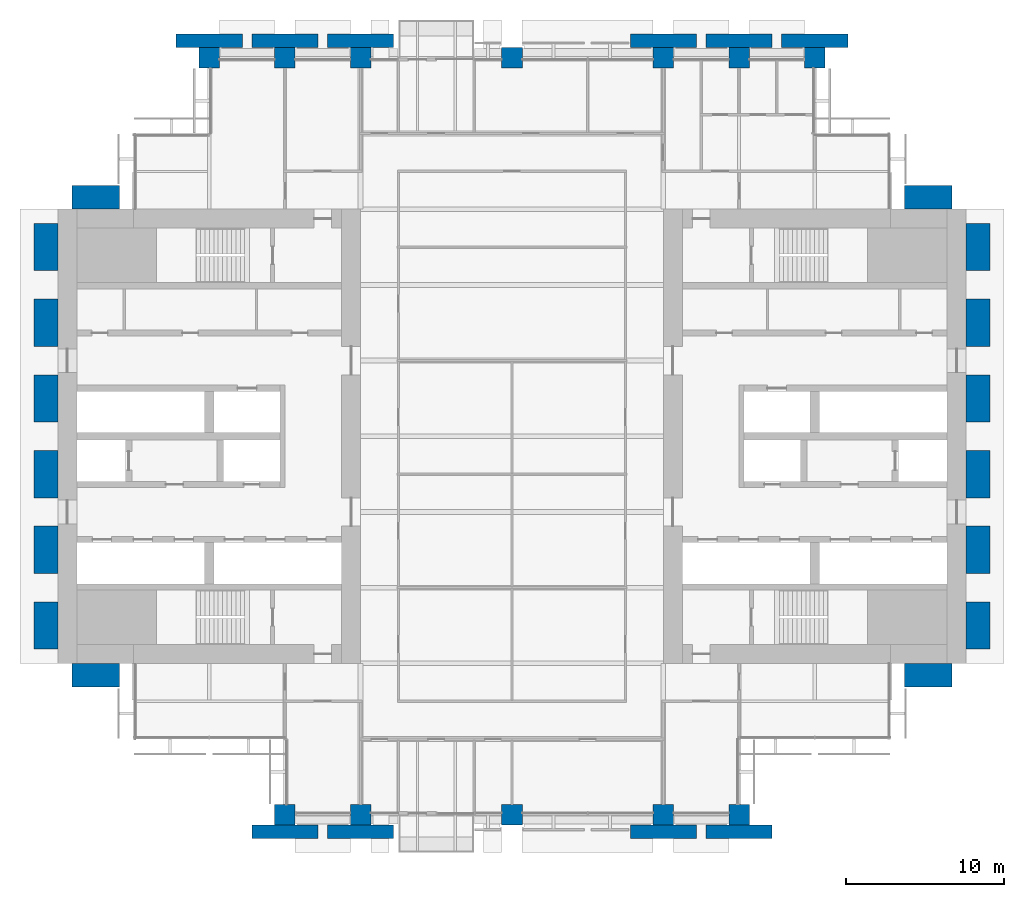
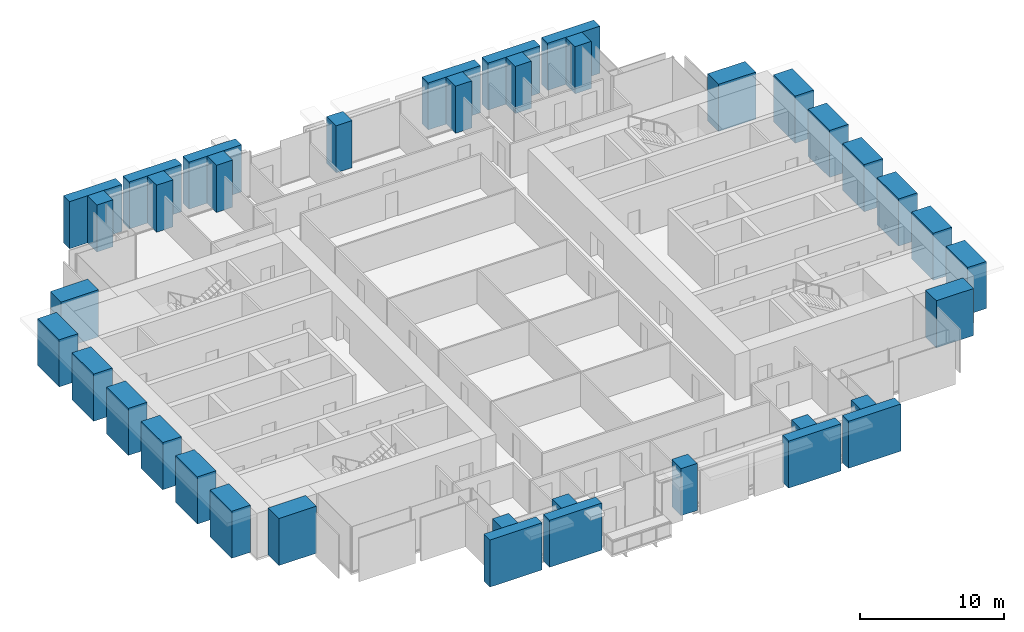
# One storey, part 1 of 15: 38 columns.
"""IFC4 building model written with IfcOpenShell, lengths in metres."""

from ifc_helpers import new_model, si_unit, direction, frame, origin, origin_2d, place, context, subcontext, project, spatial, rectangle, extrude, material, material_profile, profile_set, type_object, element, save


model = new_model("IFC4")

# Units and contexts
model_context = context("Model", 3, precision=1e-05, world=origin(), true_north=direction((0.0, 1.0)))
body_context = subcontext(model_context, "Body", "Model", "MODEL_VIEW")
ifc_project = project(units=[si_unit("LENGTHUNIT", "METRE"), si_unit("AREAUNIT", "SQUARE_METRE"), si_unit("VOLUMEUNIT", "CUBIC_METRE"), si_unit("PLANEANGLEUNIT", "RADIAN"), si_unit("MASSUNIT", "GRAM", prefix="KILO")], contexts=[model_context])

# Site, building, storey
site_placement = place(None, origin())
site = spatial("IfcSite", under=ifc_project, at=site_placement, CompositionType="ELEMENT")
building_placement = place(site_placement, origin())
building = spatial("IfcBuilding", under=site, at=building_placement, Name="Baori Bourse Tower", CompositionType="ELEMENT")
storey_placement = place(building_placement, frame((0.0, 0.0, 71.0)))
storey = spatial("IfcBuildingStorey", under=building, at=storey_placement, Name="L15", CompositionType="ELEMENT", Elevation=71.0)

# Columns
ifc_material_1 = material(Name="Concrete f'c 60 MPa", Category="concrete")
ifc_material_profile_1 = material_profile(ifc_material_1, rectangle(XDim=4.199951171875, YDim=0.85009765625, at=origin_2d()), Name="RC 4200x850")
ifc_profile_set_1 = profile_set([ifc_material_profile_1], Name="Concrete f'c 60 MPa")
column_type_1 = type_object("IfcColumnType", Name="FN3 Brick pilaster 4200x850", PredefinedType="PILASTER", material=ifc_profile_set_1)
for number, where, z_axis, x_axis, name in (
    (1, (14.39990234375, -1.074951171875, 0.0), (0.0, 0.0, 1.0), (1.0, 0.0, 0.0), "Brick pilaster L15 17"),
    (2, (19.199951171875, -1.074951171875, 0.0), (0.0, 0.0, 1.0), (1.0, 0.0, 0.0), "Brick pilaster L15 18"),
    (3, (38.39990234375, -1.074951171875, 0.0), (0.0, 0.0, 1.0), (1.0, 0.0, 0.0), "Brick pilaster L15 19"),
    (4, (43.199951171875, -1.074951171875, 0.0), (0.0, 0.0, 1.0), (1.0, 0.0, 0.0), "Brick pilaster L15 20"),
    (5, (9.60009765625, 49.074951171875, 0.0), (0.0, 0.0, 1.0), (1.0, 0.0, 0.0), "Brick pilaster L15 21"),
    (6, (14.39990234375, 49.074951171875, 0.0), (0.0, 0.0, 1.0), (1.0, 0.0, 0.0), "Brick pilaster L15 22"),
    (7, (19.199951171875, 49.074951171875, 0.0), (0.0, 0.0, 1.0), (1.0, 0.0, 0.0), "Brick pilaster L15 23"),
    (8, (38.39990234375, 49.074951171875, 0.0), (0.0, 0.0, 1.0), (1.0, 0.0, 0.0), "Brick pilaster L15 24"),
    (9, (43.199951171875, 49.074951171875, 0.0), (0.0, 0.0, 1.0), (1.0, 0.0, 0.0), "Brick pilaster L15 25"),
    (10, (48.0, 49.074951171875, 0.0), (0.0, 0.0, 1.0), (1.0, 0.0, 0.0), "Brick pilaster L15 26"),
):
    element("IfcColumn", number, at=place(storey_placement, frame(where, z_axis=z_axis, x_axis=x_axis)), inside=storey, type_object=column_type_1, Name=name, PredefinedType="PILASTER", context=body_context, shape_type="SweptSolid", body=[
        extrude(rectangle(XDim=4.199951171875, YDim=0.85009765625, at=origin_2d()), origin(), (0.0, 0.0, 1.0), 4.0),
    ])
ifc_material_2 = material(Name="Concrete f'c 60 MPa", Category="concrete")
ifc_material_profile_2 = material_profile(ifc_material_2, rectangle(XDim=3.0, YDim=1.5, at=origin_2d()), Name="RC 3000x1500")
ifc_profile_set_2 = profile_set([ifc_material_profile_2], Name="Concrete f'c 60 MPa")
column_type_2 = type_object("IfcColumnType", Name="FN4 Brick flank pilaster 3000x1500", PredefinedType="PILASTER", material=ifc_profile_set_2)
for number, where, z_axis, x_axis, name in (
    (11, (55.199951171875, 8.85009765625, 0.0), (0.0, 0.0, 1.0), (1.0, 0.0, 0.0), "Brick pilaster L15 1"),
    (12, (58.35009765625, 12.0, 0.0), (0.0, 0.0, 1.0), (0.0, 1.0, 0.0), "Brick pilaster L15 2"),
    (13, (58.35009765625, 16.800048828125, 0.0), (0.0, 0.0, 1.0), (0.0, 1.0, 0.0), "Brick pilaster L15 3"),
    (14, (58.35009765625, 21.60009765625, 0.0), (0.0, 0.0, 1.0), (0.0, 1.0, 0.0), "Brick pilaster L15 4"),
    (15, (58.35009765625, 26.39990234375, 0.0), (0.0, 0.0, 1.0), (0.0, 1.0, 0.0), "Brick pilaster L15 5"),
    (16, (58.35009765625, 31.199951171875, 0.0), (0.0, 0.0, 1.0), (0.0, 1.0, 0.0), "Brick pilaster L15 6"),
    (17, (58.35009765625, 36.0, 0.0), (0.0, 0.0, 1.0), (0.0, 1.0, 0.0), "Brick pilaster L15 7"),
    (18, (55.199951171875, 39.14990234375, 0.0), (0.0, 0.0, 1.0), (1.0, 0.0, 0.0), "Brick pilaster L15 8"),
    (19, (2.39990234375, 39.14990234375, 0.0), (0.0, 0.0, 1.0), (1.0, 0.0, 0.0), "Brick pilaster L15 9"),
    (20, (-0.75, 12.0, 0.0), (0.0, 0.0, 1.0), (0.0, 1.0, 0.0), "Brick pilaster L15 10"),
    (21, (-0.75, 16.800048828125, 0.0), (0.0, 0.0, 1.0), (0.0, 1.0, 0.0), "Brick pilaster L15 11"),
    (22, (-0.75, 21.60009765625, 0.0), (0.0, 0.0, 1.0), (0.0, 1.0, 0.0), "Brick pilaster L15 12"),
    (23, (-0.75, 26.39990234375, 0.0), (0.0, 0.0, 1.0), (0.0, 1.0, 0.0), "Brick pilaster L15 13"),
    (24, (-0.75, 31.199951171875, 0.0), (0.0, 0.0, 1.0), (0.0, 1.0, 0.0), "Brick pilaster L15 14"),
    (25, (-0.75, 36.0, 0.0), (0.0, 0.0, 1.0), (0.0, 1.0, 0.0), "Brick pilaster L15 15"),
    (26, (2.39990234375, 8.85009765625, 0.0), (0.0, 0.0, 1.0), (1.0, 0.0, 0.0), "Brick pilaster L15 16"),
):
    element("IfcColumn", number, at=place(storey_placement, frame(where, z_axis=z_axis, x_axis=x_axis)), inside=storey, type_object=column_type_2, Name=name, PredefinedType="PILASTER", context=body_context, shape_type="SweptSolid", body=[
        extrude(rectangle(XDim=3.0, YDim=1.5, at=origin_2d()), origin(), (0.0, 0.0, 1.0), 4.0),
    ])
ifc_material_3 = material(Name="Concrete f'c 70 MPa", Category="concrete")
ifc_material_profile_3 = material_profile(ifc_material_3, rectangle(XDim=1.300048828125, YDim=1.300048828125, at=origin_2d()), Name="RC 1300x1300")
ifc_profile_set_3 = profile_set([ifc_material_profile_3], Name="Concrete f'c 70 MPa")
column_type_3 = type_object("IfcColumnType", Name="Perimeter column RC 1300x1300", PredefinedType="COLUMN", material=ifc_profile_set_3)
for number, where, z_axis, x_axis, name in (
    (27, (14.39990234375, 0.0, 0.0), (0.0, 0.0, 1.0), (1.0, 0.0, 0.0), "Perimeter column L15"),
    (28, (19.199951171875, 0.0, 0.0), (0.0, 0.0, 1.0), (1.0, 0.0, 0.0), "Perimeter column L15"),
    (29, (28.800048828125, 0.0, 0.0), (0.0, 0.0, 1.0), (1.0, 0.0, 0.0), "Perimeter column L15"),
    (30, (38.39990234375, 0.0, 0.0), (0.0, 0.0, 1.0), (1.0, 0.0, 0.0), "Perimeter column L15"),
    (31, (43.199951171875, 0.0, 0.0), (0.0, 0.0, 1.0), (1.0, 0.0, 0.0), "Perimeter column L15"),
    (32, (9.60009765625, 48.0, 0.0), (0.0, 0.0, 1.0), (1.0, 0.0, 0.0), "Perimeter column L15"),
    (33, (14.39990234375, 48.0, 0.0), (0.0, 0.0, 1.0), (1.0, 0.0, 0.0), "Perimeter column L15"),
    (34, (19.199951171875, 48.0, 0.0), (0.0, 0.0, 1.0), (1.0, 0.0, 0.0), "Perimeter column L15"),
    (35, (28.800048828125, 48.0, 0.0), (0.0, 0.0, 1.0), (1.0, 0.0, 0.0), "Perimeter column L15"),
    (36, (38.39990234375, 48.0, 0.0), (0.0, 0.0, 1.0), (1.0, 0.0, 0.0), "Perimeter column L15"),
    (37, (43.199951171875, 48.0, 0.0), (0.0, 0.0, 1.0), (1.0, 0.0, 0.0), "Perimeter column L15"),
    (38, (48.0, 48.0, 0.0), (0.0, 0.0, 1.0), (1.0, 0.0, 0.0), "Perimeter column L15"),
):
    element("IfcColumn", number, at=place(storey_placement, frame(where, z_axis=z_axis, x_axis=x_axis)), inside=storey, type_object=column_type_3, Name=name, PredefinedType="COLUMN", context=body_context, shape_type="SweptSolid", body=[
        extrude(rectangle(XDim=1.300048828125, YDim=1.300048828125, at=origin_2d()), origin(), (0.0, 0.0, 1.0), 4.0),
    ])

save(model, "model.ifc")
